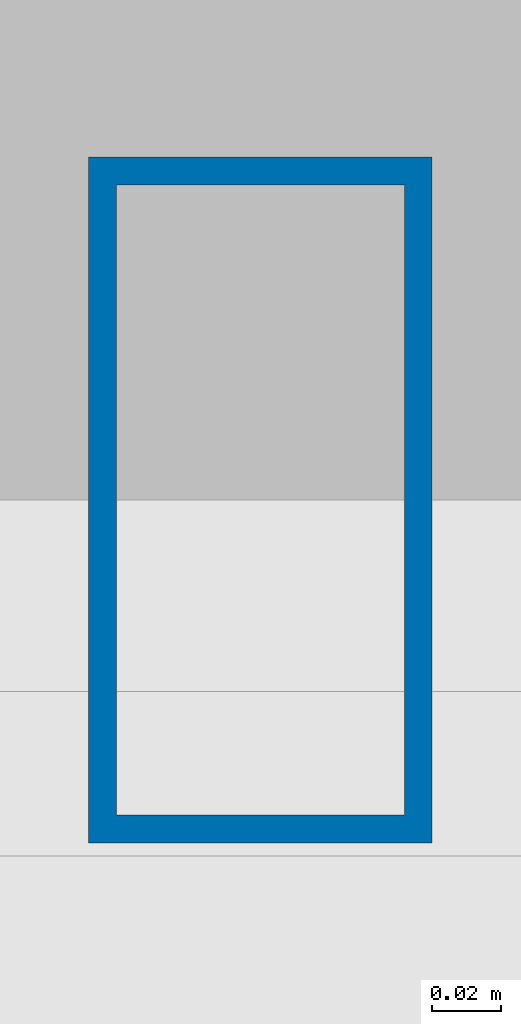
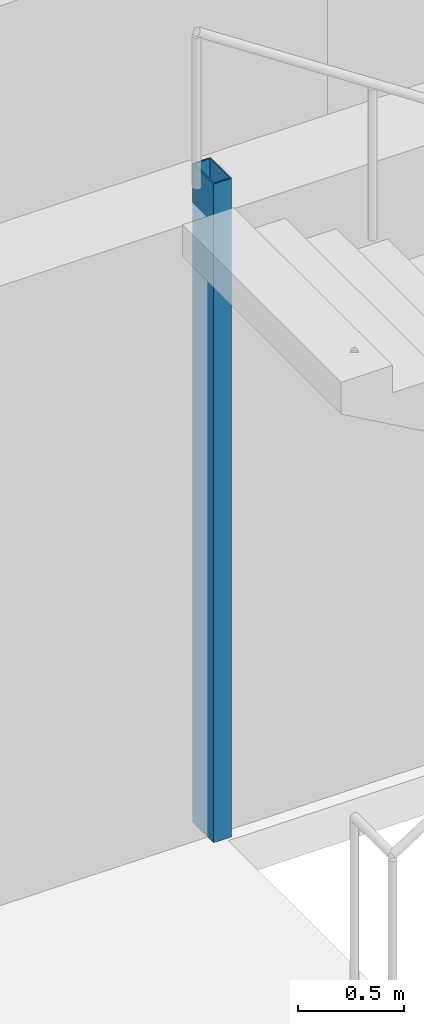
# One storey, part 2 of 17: 1 column.
"""IFC4 building model written with IfcOpenShell, lengths in metres."""

from ifc_helpers import new_model, si_unit, direction, frame, origin, origin_2d, place, context, subcontext, project, spatial, hollow_rectangle, extrude, material, material_profile, profile_set, type_object, element, save


model = new_model("IFC4")

# Units and contexts
model_context = context("Model", 3, precision=1e-05, world=origin(), true_north=direction((0.0, 1.0)))
body_context = subcontext(model_context, "Body", "Model", "MODEL_VIEW")
ifc_project = project(units=[si_unit("LENGTHUNIT", "METRE"), si_unit("AREAUNIT", "SQUARE_METRE"), si_unit("VOLUMEUNIT", "CUBIC_METRE"), si_unit("PLANEANGLEUNIT", "RADIAN"), si_unit("MASSUNIT", "GRAM", prefix="KILO")], contexts=[model_context])

# Site, building, storey
site_placement = place(None, origin())
site = spatial("IfcSite", under=ifc_project, at=site_placement, CompositionType="ELEMENT")
building_placement = place(site_placement, origin())
building = spatial("IfcBuilding", under=site, at=building_placement, Name="Menara Jurai Vektor", CompositionType="ELEMENT")
storey_placement = place(building_placement, frame((0.0, 0.0, 48.39990234375)))
storey = spatial("IfcBuildingStorey", under=building, at=storey_placement, Name="L11", CompositionType="ELEMENT", Elevation=48.39990234375)

# Column
ifc_material = material(Name="Steel S355", Category="steel")
ifc_material_profile = material_profile(ifc_material, hollow_rectangle(XDim=0.10009765625, YDim=0.199951171875, WallThickness=0.008056640625, at=origin_2d()), Name="RHS 200x100x8")
ifc_profile_set = profile_set([ifc_material_profile], Name="Steel S355")
column_type = type_object("IfcColumnType", Name="STR-COL-STAIR", PredefinedType="COLUMN", material=ifc_profile_set)
column_placement = place(storey_placement, frame((-11.1201171875, 5.419921875, 0.0), z_axis=(0.0, 0.0, 1.0), x_axis=(1.0, 0.0, 0.0)))
element("IfcColumn", 1, at=column_placement, inside=storey, type_object=column_type, Name="Stair Well Header Column ST1-P2 L11", PredefinedType="COLUMN", context=body_context, shape_type="SweptSolid", body=[
    extrude(hollow_rectangle(XDim=0.10009765625, YDim=0.199951171875, WallThickness=0.008056640625, at=origin_2d()), origin(), (0.0, 0.0, 1.0), 3.800048828125),
])

save(model, "model.ifc")
